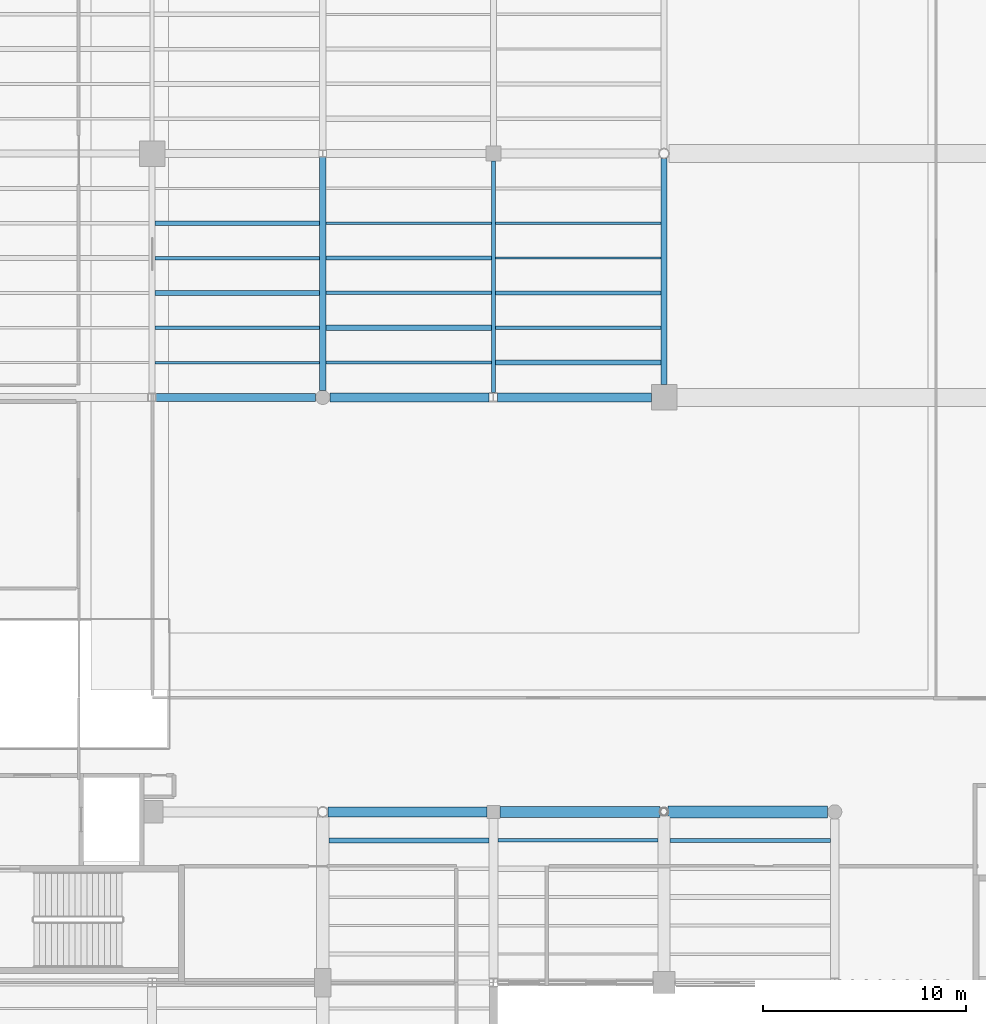
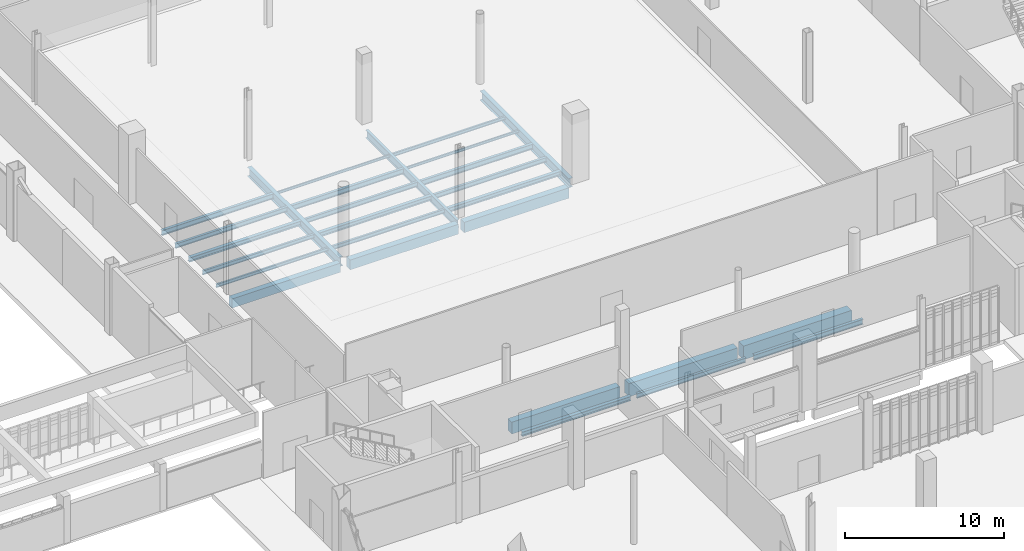
# One storey, part 17 of 111: 27 beams.
"""IFC4 building model written with IfcOpenShell, lengths in metres."""

from ifc_helpers import new_model, si_unit, direction, frame, origin, origin_2d, place, context, subcontext, project, spatial, rectangle, i_section, extrude, material, material_profile, profile_set, type_object, element, save


model = new_model("IFC4")

# Units and contexts
model_context = context("Model", 3, precision=1e-05, world=origin(), true_north=direction((0.0, 1.0)))
body_context = subcontext(model_context, "Body", "Model", "MODEL_VIEW")
ifc_project = project(units=[si_unit("LENGTHUNIT", "METRE"), si_unit("AREAUNIT", "SQUARE_METRE"), si_unit("VOLUMEUNIT", "CUBIC_METRE"), si_unit("PLANEANGLEUNIT", "RADIAN"), si_unit("MASSUNIT", "GRAM", prefix="KILO")], contexts=[model_context])

# Site, building, storey
site_placement = place(None, origin())
site = spatial("IfcSite", under=ifc_project, at=site_placement, CompositionType="ELEMENT")
building_placement = place(site_placement, origin())
building = spatial("IfcBuilding", under=site, at=building_placement, Name="Larkvane Passage Sports Hall", CompositionType="ELEMENT")
storey_placement = place(building_placement, origin())
storey = spatial("IfcBuildingStorey", under=building, at=storey_placement, Name="L00", CompositionType="ELEMENT", Elevation=0.0)

# Beams
ifc_material_1 = material(Name="Concrete C40/50", Category="concrete")
ifc_material_profile_1 = material_profile(ifc_material_1, rectangle(XDim=0.39990234375, YDim=0.699951171875, at=origin_2d()), Name="RC-BM-400x700")
ifc_profile_set_1 = profile_set([ifc_material_profile_1], Name="Concrete C40/50")
beam_type_1 = type_object("IfcBeamType", Name="BM-RC-400x700", PredefinedType="BEAM", material=ifc_profile_set_1)
beam_1_placement = place(storey_placement, frame((43.39990234375, 51.60009765625, -0.77001953125), z_axis=(1.0, 0.0, 0.0), x_axis=(0.0, 1.0, 0.0)))
element("IfcBeam", 1, at=beam_1_placement, inside=storey, type_object=beam_type_1, Name="Girder BM5-X-L00-G-0030", PredefinedType="BEAM", context=body_context, shape_type="SweptSolid", body=[
    extrude(rectangle(XDim=0.39990234375, YDim=0.699951171875, at=origin_2d()), origin(), (0.0, 0.0, 1.0), 7.85009765625),
])
ifc_material_profile_2 = material_profile(ifc_material_1, rectangle(XDim=0.449951171875, YDim=0.75, at=origin_2d()), Name="RC-BM-450x750")
ifc_profile_set_2 = profile_set([ifc_material_profile_2], Name="Concrete C40/50")
beam_type_2 = type_object("IfcBeamType", Name="BM-RC-450x750", PredefinedType="BEAM", material=ifc_profile_set_2)
beam_2_placement = place(storey_placement, frame((51.949951171875, 51.60009765625, -0.794921875), z_axis=(1.0, 0.0, 0.0), x_axis=(0.0, 1.0, 0.0)))
element("IfcBeam", 2, at=beam_2_placement, inside=storey, type_object=beam_type_2, Name="Girder BM5-X-L00-G-0031", PredefinedType="BEAM", context=body_context, shape_type="SweptSolid", body=[
    extrude(rectangle(XDim=0.449951171875, YDim=0.75, at=origin_2d()), origin(), (0.0, 0.0, 1.0), 7.841552734375),
])
ifc_material_profile_3 = material_profile(ifc_material_1, rectangle(XDim=0.449951171875, YDim=0.800048828125, at=origin_2d()), Name="RC-BM-450x800")
ifc_profile_set_3 = profile_set([ifc_material_profile_3], Name="Concrete C40/50")
beam_type_3 = type_object("IfcBeamType", Name="BM-RC-450x800", PredefinedType="BEAM", material=ifc_profile_set_3)
beam_3_placement = place(storey_placement, frame((60.20849609375, 51.60009765625, -0.820068359375), z_axis=(1.0, 0.0, 0.0), x_axis=(0.0, 1.0, 0.0)))
element("IfcBeam", 3, at=beam_3_placement, inside=storey, type_object=beam_type_3, Name="Girder BM5-X-L00-G-0032", PredefinedType="BEAM", context=body_context, shape_type="SweptSolid", body=[
    extrude(rectangle(XDim=0.449951171875, YDim=0.800048828125, at=origin_2d()), origin(), (0.0, 0.0, 1.0), 7.56640625),
])
ifc_material_profile_4 = material_profile(ifc_material_1, rectangle(XDim=0.5, YDim=0.89990234375, at=origin_2d()), Name="RC-BM-500x900")
ifc_profile_set_4 = profile_set([ifc_material_profile_4], Name="Concrete C40/50")
beam_type_4 = type_object("IfcBeamType", Name="BM-RC-500x900", PredefinedType="BEAM", material=ifc_profile_set_4)
beam_4_placement = place(storey_placement, frame((51.85400390625, 31.199951171875, -0.8701171875), z_axis=(1.0, 0.0, 0.0), x_axis=(0.0, 1.0, 0.0)))
element("IfcBeam", 4, at=beam_4_placement, inside=storey, type_object=beam_type_4, Name="Girder BM5-X-L00-E-0021", PredefinedType="BEAM", context=body_context, shape_type="SweptSolid", body=[
    extrude(rectangle(XDim=0.5, YDim=0.89990234375, at=origin_2d()), origin(), (0.0, 0.0, 1.0), 7.821044921875),
])
ifc_material_2 = material(Name="Concrete C50/60", Category="concrete")
ifc_material_profile_5 = material_profile(ifc_material_2, rectangle(XDim=0.550048828125, YDim=1.0, at=origin_2d()), Name="RC-BM-550x1000")
ifc_profile_set_5 = profile_set([ifc_material_profile_5], Name="Concrete C50/60")
beam_type_5 = type_object("IfcBeamType", Name="BM-RC-550x1000", PredefinedType="BEAM", material=ifc_profile_set_5)
beam_5_placement = place(storey_placement, frame((60.324951171875, 31.199951171875, -0.919921875), z_axis=(1.0, 0.0, 0.0), x_axis=(0.0, 1.0, 0.0)))
element("IfcBeam", 5, at=beam_5_placement, inside=storey, type_object=beam_type_5, Name="Girder BM5-X-L00-E-0022", PredefinedType="BEAM", context=body_context, shape_type="SweptSolid", body=[
    extrude(rectangle(XDim=0.550048828125, YDim=1.0, at=origin_2d()), origin(), (0.0, 0.0, 1.0), 7.871826171875),
])
ifc_material_profile_6 = material_profile(ifc_material_2, rectangle(XDim=0.60009765625, YDim=1.050048828125, at=origin_2d()), Name="RC-BM-600x1050")
ifc_profile_set_6 = profile_set([ifc_material_profile_6], Name="Concrete C50/60")
beam_type_6 = type_object("IfcBeamType", Name="BM-RC-600x1050", PredefinedType="BEAM", material=ifc_profile_set_6)
beam_6_placement = place(storey_placement, frame((68.603271484375, 31.199951171875, -0.945068359375), z_axis=(1.0, 0.0, 0.0), x_axis=(0.0, 1.0, 0.0)))
element("IfcBeam", 6, at=beam_6_placement, inside=storey, type_object=beam_type_6, Name="Girder BM5-X-L00-E-0023", PredefinedType="BEAM", context=body_context, shape_type="SweptSolid", body=[
    extrude(rectangle(XDim=0.60009765625, YDim=1.050048828125, at=origin_2d()), origin(), (0.0, 0.0, 1.0), 7.8466796875),
])
ifc_material_3 = material(Name="Steel S355JR", Category="steel")
ifc_material_profile_7 = material_profile(ifc_material_3, i_section(OverallWidth=0.199951171875, OverallDepth=0.60009765625, WebThickness=0.010986328125, FlangeThickness=0.01708984375, FilletRadius=0.01806640625, at=origin_2d()), Name="H-600x200x11x17")
ifc_profile_set_7 = profile_set([ifc_material_profile_7], Name="Steel S355JR")
beam_type_7 = type_object("IfcBeamType", Name="BM-STL-H600", PredefinedType="BEAM", material=ifc_profile_set_7)
beam_7_placement = place(storey_placement, frame((60.0, 51.8291015625, -0.719970703125), z_axis=(0.0, 1.0, 0.0), x_axis=(-1.0, 0.0, 0.0)))
element("IfcBeam", 7, at=beam_7_placement, inside=storey, type_object=beam_type_7, Name="Girder BM5-Y-L00-9-0097", PredefinedType="BEAM", context=body_context, shape_type="SweptSolid", body=[
    extrude(i_section(OverallWidth=0.199951171875, OverallDepth=0.60009765625, WebThickness=0.010986328125, FlangeThickness=0.01708984375, FilletRadius=0.01806640625, at=origin_2d()), origin(), (0.0, 0.0, 1.0), 11.39599609375),
])
ifc_material_4 = material(Name="Steel S460N", Category="steel")
ifc_material_profile_8 = material_profile(ifc_material_4, i_section(OverallWidth=0.300048828125, OverallDepth=0.69189453125, WebThickness=0.012939453125, FlangeThickness=0.02001953125, FilletRadius=0.02197265625, at=origin_2d()), Name="H-692x300x13x20")
ifc_profile_set_8 = profile_set([ifc_material_profile_8], Name="Steel S460N")
beam_type_8 = type_object("IfcBeamType", Name="BM-STL-H692", PredefinedType="BEAM", material=ifc_profile_set_8)
beam_8_placement = place(storey_placement, frame((51.60009765625, 51.949951171875, -0.76611328125), z_axis=(0.0, 1.0, 0.0), x_axis=(-1.0, 0.0, 0.0)))
element("IfcBeam", 8, at=beam_8_placement, inside=storey, type_object=beam_type_8, Name="Girder BM5-Y-L00-8-0090", PredefinedType="BEAM", context=body_context, shape_type="SweptSolid", body=[
    extrude(i_section(OverallWidth=0.300048828125, OverallDepth=0.69189453125, WebThickness=0.012939453125, FlangeThickness=0.02001953125, FilletRadius=0.02197265625, at=origin_2d()), origin(), (0.0, 0.0, 1.0), 11.47509765625),
])
ifc_material_profile_9 = material_profile(ifc_material_4, i_section(OverallWidth=0.300048828125, OverallDepth=0.699951171875, WebThickness=0.012939453125, FlangeThickness=0.02392578125, FilletRadius=0.02197265625, at=origin_2d()), Name="H-700x300x13x24")
ifc_profile_set_9 = profile_set([ifc_material_profile_9], Name="Steel S460N")
beam_type_9 = type_object("IfcBeamType", Name="BM-STL-H700", PredefinedType="BEAM", material=ifc_profile_set_9)
beam_9_placement = place(storey_placement, frame((68.39990234375, 52.22509765625, -0.77001953125), z_axis=(0.0, 1.0, 0.0), x_axis=(-1.0, 0.0, 0.0)))
element("IfcBeam", 9, at=beam_9_placement, inside=storey, type_object=beam_type_9, Name="Girder BM5-Y-L00-10-0103", PredefinedType="BEAM", context=body_context, shape_type="SweptSolid", body=[
    extrude(i_section(OverallWidth=0.300048828125, OverallDepth=0.699951171875, WebThickness=0.012939453125, FlangeThickness=0.02392578125, FilletRadius=0.02197265625, at=origin_2d()), origin(), (0.0, 0.0, 1.0), 11.120849609375),
])
ifc_material_profile_10 = material_profile(ifc_material_3, i_section(OverallWidth=0.10009765625, OverallDepth=0.199951171875, WebThickness=0.005615234375, FlangeThickness=0.008056640625, FilletRadius=0.008056640625, at=origin_2d()), Name="H-200x100x5.5x8")
ifc_profile_set_10 = profile_set([ifc_material_profile_10], Name="Steel S355JR")
beam_type_10 = type_object("IfcBeamType", Name="JST-STL-H200", PredefinedType="JOIST", material=ifc_profile_set_10)
for number, where, z_axis, x_axis, name in (
    (10, (51.75, 60.17138671875, -0.52001953125), (1.0, 0.0, 0.0), (0.0, 1.0, 0.0), "Composite joist L00 8/G-5"),
    (11, (60.10009765625, 58.45703125, -0.52001953125), (1.0, 0.0, 0.0), (0.0, 1.0, 0.0), "Composite joist L00 9/G-4"),
):
    element("IfcBeam", number, at=place(storey_placement, frame(where, z_axis=z_axis, x_axis=x_axis)), inside=storey, type_object=beam_type_10, Name=name, PredefinedType="JOIST", context=body_context, shape_type="SweptSolid", body=[
        extrude(i_section(OverallWidth=0.10009765625, OverallDepth=0.199951171875, WebThickness=0.005615234375, FlangeThickness=0.008056640625, FilletRadius=0.008056640625, at=origin_2d()), origin(), (0.0, 0.0, 1.0), 8.14990234375),
    ])
ifc_material_profile_11 = material_profile(ifc_material_3, i_section(OverallWidth=0.125, OverallDepth=0.25, WebThickness=0.006103515625, FlangeThickness=0.009033203125, FilletRadius=0.008056640625, at=origin_2d()), Name="H-250x125x6x9")
ifc_profile_set_11 = profile_set([ifc_material_profile_11], Name="Steel S355JR")
beam_type_11 = type_object("IfcBeamType", Name="JST-STL-H250", PredefinedType="JOIST", material=ifc_profile_set_11)
beam_10_placement = place(storey_placement, frame((43.35009765625, 53.314208984375, -0.544921875), z_axis=(1.0, 0.0, 0.0), x_axis=(0.0, 1.0, 0.0)))
element("IfcBeam", 12, at=beam_10_placement, inside=storey, type_object=beam_type_11, Name="Composite joist L00 7/G-1", PredefinedType="JOIST", context=body_context, shape_type="SweptSolid", body=[
    extrude(i_section(OverallWidth=0.125, OverallDepth=0.25, WebThickness=0.006103515625, FlangeThickness=0.009033203125, FilletRadius=0.008056640625, at=origin_2d()), origin(), (0.0, 0.0, 1.0), 8.099853515625),
])
beam_11_placement = place(storey_placement, frame((60.10009765625, 60.17138671875, -0.544921875), z_axis=(1.0, 0.0, 0.0), x_axis=(0.0, 1.0, 0.0)))
element("IfcBeam", 13, at=beam_11_placement, inside=storey, type_object=beam_type_11, Name="Composite joist L00 9/G-5", PredefinedType="JOIST", context=body_context, shape_type="SweptSolid", body=[
    extrude(i_section(OverallWidth=0.125, OverallDepth=0.25, WebThickness=0.006103515625, FlangeThickness=0.009033203125, FilletRadius=0.008056640625, at=origin_2d()), origin(), (0.0, 0.0, 1.0), 8.14990234375),
])
ifc_material_profile_12 = material_profile(ifc_material_3, i_section(OverallWidth=0.14990234375, OverallDepth=0.300048828125, WebThickness=0.006591796875, FlangeThickness=0.009033203125, FilletRadius=0.012939453125, at=origin_2d()), Name="H-300x150x6.5x9")
ifc_profile_set_12 = profile_set([ifc_material_profile_12], Name="Steel S355JR")
beam_type_12 = type_object("IfcBeamType", Name="JST-STL-H300", PredefinedType="JOIST", material=ifc_profile_set_12)
beam_12_placement = place(storey_placement, frame((43.35009765625, 55.028564453125, -0.570068359375), z_axis=(1.0, 0.0, 0.0), x_axis=(0.0, 1.0, 0.0)))
element("IfcBeam", 14, at=beam_12_placement, inside=storey, type_object=beam_type_12, Name="Composite joist L00 7/G-2", PredefinedType="JOIST", context=body_context, shape_type="SweptSolid", body=[
    extrude(i_section(OverallWidth=0.14990234375, OverallDepth=0.300048828125, WebThickness=0.006591796875, FlangeThickness=0.009033203125, FilletRadius=0.012939453125, at=origin_2d()), origin(), (0.0, 0.0, 1.0), 8.099853515625),
])
beam_13_placement = place(storey_placement, frame((51.75, 53.314208984375, -0.570068359375), z_axis=(1.0, 0.0, 0.0), x_axis=(0.0, 1.0, 0.0)))
element("IfcBeam", 15, at=beam_13_placement, inside=storey, type_object=beam_type_12, Name="Composite joist L00 8/G-1", PredefinedType="JOIST", context=body_context, shape_type="SweptSolid", body=[
    extrude(i_section(OverallWidth=0.14990234375, OverallDepth=0.300048828125, WebThickness=0.006591796875, FlangeThickness=0.009033203125, FilletRadius=0.012939453125, at=origin_2d()), origin(), (0.0, 0.0, 1.0), 8.14990234375),
])
ifc_material_profile_13 = material_profile(ifc_material_3, i_section(OverallWidth=0.25, OverallDepth=0.340087890625, WebThickness=0.009033203125, FlangeThickness=0.013916015625, FilletRadius=0.012939453125, at=origin_2d()), Name="H-340x250x9x14")
ifc_profile_set_13 = profile_set([ifc_material_profile_13], Name="Steel S355JR")
beam_type_13 = type_object("IfcBeamType", Name="JST-STL-H340", PredefinedType="JOIST", material=ifc_profile_set_13)
beam_14_placement = place(storey_placement, frame((43.35009765625, 56.742919921875, -0.590087890625), z_axis=(1.0, 0.0, 0.0), x_axis=(0.0, 1.0, 0.0)))
element("IfcBeam", 16, at=beam_14_placement, inside=storey, type_object=beam_type_13, Name="Composite joist L00 7/G-3", PredefinedType="JOIST", context=body_context, shape_type="SweptSolid", body=[
    extrude(i_section(OverallWidth=0.25, OverallDepth=0.340087890625, WebThickness=0.009033203125, FlangeThickness=0.013916015625, FilletRadius=0.012939453125, at=origin_2d()), origin(), (0.0, 0.0, 1.0), 8.099853515625),
])
beam_15_placement = place(storey_placement, frame((51.89990234375, 29.800048828125, -0.590087890625), z_axis=(1.0, 0.0, 0.0), x_axis=(0.0, 1.0, 0.0)))
element("IfcBeam", 17, at=beam_15_placement, inside=storey, type_object=beam_type_13, Name="Composite joist L00 8/D-5", PredefinedType="JOIST", context=body_context, shape_type="SweptSolid", body=[
    extrude(i_section(OverallWidth=0.25, OverallDepth=0.340087890625, WebThickness=0.009033203125, FlangeThickness=0.013916015625, FilletRadius=0.012939453125, at=origin_2d()), origin(), (0.0, 0.0, 1.0), 7.875),
])
for number, where, z_axis, x_axis, name in (
    (18, (51.75, 55.028564453125, -0.590087890625), (1.0, 0.0, 0.0), (0.0, 1.0, 0.0), "Composite joist L00 8/G-2"),
    (19, (60.10009765625, 53.314208984375, -0.590087890625), (1.0, 0.0, 0.0), (0.0, 1.0, 0.0), "Composite joist L00 9/G-1"),
):
    element("IfcBeam", number, at=place(storey_placement, frame(where, z_axis=z_axis, x_axis=x_axis)), inside=storey, type_object=beam_type_13, Name=name, PredefinedType="JOIST", context=body_context, shape_type="SweptSolid", body=[
        extrude(i_section(OverallWidth=0.25, OverallDepth=0.340087890625, WebThickness=0.009033203125, FlangeThickness=0.013916015625, FilletRadius=0.012939453125, at=origin_2d()), origin(), (0.0, 0.0, 1.0), 8.14990234375),
    ])
ifc_material_profile_14 = material_profile(ifc_material_3, i_section(OverallWidth=0.175048828125, OverallDepth=0.35009765625, WebThickness=0.007080078125, FlangeThickness=0.010986328125, FilletRadius=0.012939453125, at=origin_2d()), Name="H-350x175x7x11")
ifc_profile_set_14 = profile_set([ifc_material_profile_14], Name="Steel S355JR")
beam_type_14 = type_object("IfcBeamType", Name="JST-STL-H350", PredefinedType="JOIST", material=ifc_profile_set_14)
beam_16_placement = place(storey_placement, frame((43.35009765625, 58.45703125, -0.594970703125), z_axis=(1.0, 0.0, 0.0), x_axis=(0.0, 1.0, 0.0)))
element("IfcBeam", 20, at=beam_16_placement, inside=storey, type_object=beam_type_14, Name="Composite joist L00 7/G-4", PredefinedType="JOIST", context=body_context, shape_type="SweptSolid", body=[
    extrude(i_section(OverallWidth=0.175048828125, OverallDepth=0.35009765625, WebThickness=0.007080078125, FlangeThickness=0.010986328125, FilletRadius=0.012939453125, at=origin_2d()), origin(), (0.0, 0.0, 1.0), 8.099853515625),
])
beam_17_placement = place(storey_placement, frame((51.75, 56.742919921875, -0.594970703125), z_axis=(1.0, 0.0, 0.0), x_axis=(0.0, 1.0, 0.0)))
element("IfcBeam", 21, at=beam_17_placement, inside=storey, type_object=beam_type_14, Name="Composite joist L00 8/G-3", PredefinedType="JOIST", context=body_context, shape_type="SweptSolid", body=[
    extrude(i_section(OverallWidth=0.175048828125, OverallDepth=0.35009765625, WebThickness=0.007080078125, FlangeThickness=0.010986328125, FilletRadius=0.012939453125, at=origin_2d()), origin(), (0.0, 0.0, 1.0), 8.14990234375),
])
beam_18_placement = place(storey_placement, frame((60.22509765625, 29.800048828125, -0.594970703125), z_axis=(1.0, 0.0, 0.0), x_axis=(0.0, 1.0, 0.0)))
element("IfcBeam", 22, at=beam_18_placement, inside=storey, type_object=beam_type_14, Name="Composite joist L00 9/D-5", PredefinedType="JOIST", context=body_context, shape_type="SweptSolid", body=[
    extrude(i_section(OverallWidth=0.175048828125, OverallDepth=0.35009765625, WebThickness=0.007080078125, FlangeThickness=0.010986328125, FilletRadius=0.012939453125, at=origin_2d()), origin(), (0.0, 0.0, 1.0), 7.875),
])
beam_19_placement = place(storey_placement, frame((60.10009765625, 55.028564453125, -0.594970703125), z_axis=(1.0, 0.0, 0.0), x_axis=(0.0, 1.0, 0.0)))
element("IfcBeam", 23, at=beam_19_placement, inside=storey, type_object=beam_type_14, Name="Composite joist L00 9/G-2", PredefinedType="JOIST", context=body_context, shape_type="SweptSolid", body=[
    extrude(i_section(OverallWidth=0.175048828125, OverallDepth=0.35009765625, WebThickness=0.007080078125, FlangeThickness=0.010986328125, FilletRadius=0.012939453125, at=origin_2d()), origin(), (0.0, 0.0, 1.0), 8.14990234375),
])
ifc_material_profile_15 = material_profile(ifc_material_3, i_section(OverallWidth=0.199951171875, OverallDepth=0.39990234375, WebThickness=0.008056640625, FlangeThickness=0.012939453125, FilletRadius=0.012939453125, at=origin_2d()), Name="H-400x200x8x13")
ifc_profile_set_15 = profile_set([ifc_material_profile_15], Name="Steel S355JR")
beam_type_15 = type_object("IfcBeamType", Name="JST-STL-H400", PredefinedType="JOIST", material=ifc_profile_set_15)
beam_20_placement = place(storey_placement, frame((43.35009765625, 60.17138671875, -0.6201171875), z_axis=(1.0, 0.0, 0.0), x_axis=(0.0, 1.0, 0.0)))
element("IfcBeam", 24, at=beam_20_placement, inside=storey, type_object=beam_type_15, Name="Composite joist L00 7/G-5", PredefinedType="JOIST", context=body_context, shape_type="SweptSolid", body=[
    extrude(i_section(OverallWidth=0.199951171875, OverallDepth=0.39990234375, WebThickness=0.008056640625, FlangeThickness=0.012939453125, FilletRadius=0.012939453125, at=origin_2d()), origin(), (0.0, 0.0, 1.0), 8.099853515625),
])
for number, where, z_axis, x_axis, name in (
    (25, (51.75, 58.45703125, -0.6201171875), (1.0, 0.0, 0.0), (0.0, 1.0, 0.0), "Composite joist L00 8/G-4"),
    (26, (60.10009765625, 56.742919921875, -0.6201171875), (1.0, 0.0, 0.0), (0.0, 1.0, 0.0), "Composite joist L00 9/G-3"),
):
    element("IfcBeam", number, at=place(storey_placement, frame(where, z_axis=z_axis, x_axis=x_axis)), inside=storey, type_object=beam_type_15, Name=name, PredefinedType="JOIST", context=body_context, shape_type="SweptSolid", body=[
        extrude(i_section(OverallWidth=0.199951171875, OverallDepth=0.39990234375, WebThickness=0.008056640625, FlangeThickness=0.012939453125, FilletRadius=0.012939453125, at=origin_2d()), origin(), (0.0, 0.0, 1.0), 8.14990234375),
    ])
beam_21_placement = place(storey_placement, frame((68.699951171875, 29.800048828125, -0.6201171875), z_axis=(1.0, 0.0, 0.0), x_axis=(0.0, 1.0, 0.0)))
element("IfcBeam", 27, at=beam_21_placement, inside=storey, type_object=beam_type_15, Name="Composite joist L00 10/D-5", PredefinedType="JOIST", context=body_context, shape_type="SweptSolid", body=[
    extrude(i_section(OverallWidth=0.199951171875, OverallDepth=0.39990234375, WebThickness=0.008056640625, FlangeThickness=0.012939453125, FilletRadius=0.012939453125, at=origin_2d()), origin(), (0.0, 0.0, 1.0), 7.900146484375),
])

save(model, "model.ifc")
